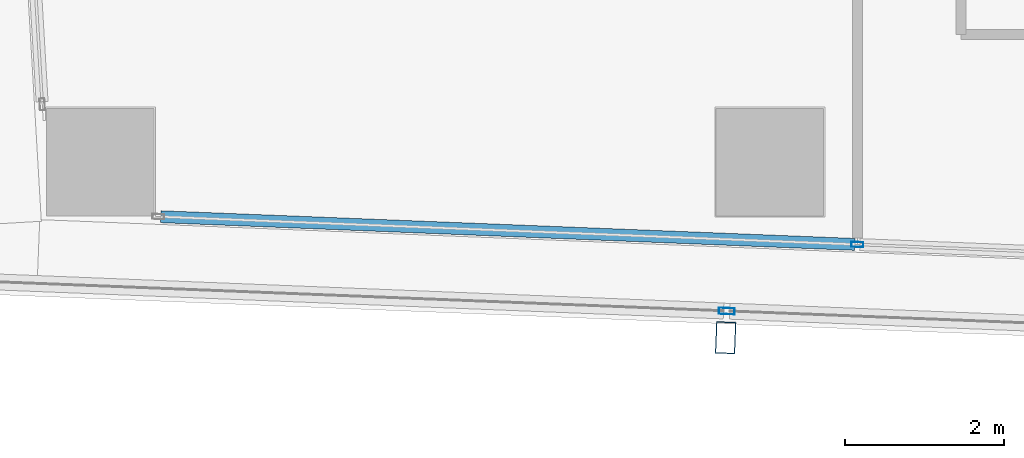
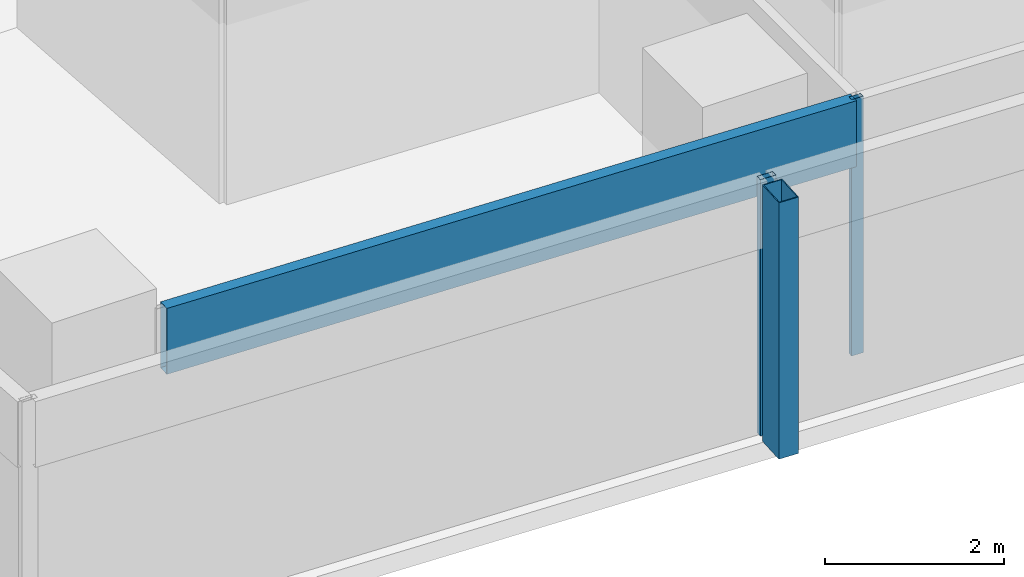
# One storey, part 3 of 40: 4 members, 2 elements without a shape of their own.
"""IFC4 building model written with IfcOpenShell, lengths in metres."""

from ifc_helpers import new_model, si_unit, direction, frame, origin, origin_2d, place, context, subcontext, project, spatial, hollow_rectangle, extrude, material, material_profile, profile_set, type_object, element, aggregate, save


model = new_model("IFC4")

# Units and contexts
model_context = context("Model", 3, precision=1e-05, world=origin(), true_north=direction((0.0, 1.0)))
body_context = subcontext(model_context, "Body", "Model", "MODEL_VIEW")
ifc_project = project(units=[si_unit("LENGTHUNIT", "METRE"), si_unit("AREAUNIT", "SQUARE_METRE"), si_unit("VOLUMEUNIT", "CUBIC_METRE"), si_unit("PLANEANGLEUNIT", "RADIAN"), si_unit("MASSUNIT", "GRAM", prefix="KILO")], contexts=[model_context])

# Site, building, storey
site_placement = place(None, origin())
site = spatial("IfcSite", under=ifc_project, at=site_placement, CompositionType="ELEMENT")
building_placement = place(site_placement, origin())
building = spatial("IfcBuilding", under=site, at=building_placement, Name="Rekha Terrace Tower", CompositionType="ELEMENT")
storey_placement = place(building_placement, frame((0.0, 0.0, 210.199951171875)))
storey = spatial("IfcBuildingStorey", under=building, at=storey_placement, Name="L53", CompositionType="ELEMENT", Elevation=210.199951171875)

# Curtain wall, member
ifc_material_1 = material(Name="Aluminium framing", Category="aluminium")
curtain_wall_type_1 = type_object("IfcCurtainWallType", Name="CW2 double skin outer glazing", PredefinedType="USERDEFINED", material=ifc_material_1)
curtain_wall_1_placement = place(storey_placement, origin())
curtain_wall_1 = element("IfcCurtainWall", 1, at=curtain_wall_1_placement, inside=storey, type_object=curtain_wall_type_1, Name="CW2 double skin outer glazing", ObjectType="DOUBLE SKIN OUTER GLAZING", PredefinedType="USERDEFINED")
ifc_material_2 = material(Name="Steel S355 with fluorocarbon finish", Category="steel")
ifc_material_profile_1 = material_profile(ifc_material_2, hollow_rectangle(XDim=0.25, YDim=0.39990234375, WallThickness=0.012451171875, at=origin_2d()), Name="RHS400x250x12.5")
ifc_profile_set_1 = profile_set([ifc_material_profile_1], Name="Steel S355 with fluorocarbon finish")
member_type_1 = type_object("IfcMemberType", Name="BL1 facade blade RHS 400 x 250", PredefinedType="USERDEFINED", material=ifc_profile_set_1)
member_1_placement = place(storey_placement, frame((16.24658203125, 14.595947265625, 0.0), z_axis=(0.0, 0.0, 1.0), x_axis=(0.999204797763, -0.039871946621, 0.0)))
member_1 = element("IfcMember", 2, at=member_1_placement, type_object=member_type_1, Name="Facade blade", ObjectType="FACADE BLADE", PredefinedType="USERDEFINED", context=body_context, shape_type="SweptSolid", body=[
    extrude(hollow_rectangle(XDim=0.25, YDim=0.39990234375, WallThickness=0.012451171875, at=origin_2d()), origin(), (0.0, 0.0, 1.0), 3.5),
])

# Curtain wall, members
curtain_wall_type_2 = type_object("IfcCurtainWallType", Name="CW1 double skin inner glazing", PredefinedType="USERDEFINED", material=ifc_material_1)
curtain_wall_2_placement = place(storey_placement, origin())
curtain_wall_2 = element("IfcCurtainWall", 3, at=curtain_wall_2_placement, inside=storey, type_object=curtain_wall_type_2, Name="CW1 double skin inner glazing", ObjectType="DOUBLE SKIN INNER GLAZING", PredefinedType="USERDEFINED")
ifc_material_3 = material(Name="Aluminium mullion section", Category="aluminium")
ifc_material_profile_2 = material_profile(ifc_material_3, hollow_rectangle(XDim=0.06494140625, YDim=0.14990234375, WallThickness=0.00390625, at=origin_2d()), Name="AL RHS 65x150")
ifc_profile_set_2 = profile_set([ifc_material_profile_2], Name="Aluminium mullion section")
member_type_2 = type_object("IfcMemberType", Name="CW1 mullion RHS 65 x 150", PredefinedType="MULLION", material=ifc_profile_set_2)
member_2_placement = place(storey_placement, frame((17.89892578125, 15.765869140625, 0.0), z_axis=(0.0, 0.0, 1.0), x_axis=(0.039872497061, 0.999204775798, 0.0)))
member_2 = element("IfcMember", 4, at=member_2_placement, type_object=member_type_2, Name="CW1 mullion 2", PredefinedType="MULLION", context=body_context, shape_type="SweptSolid", body=[
    extrude(hollow_rectangle(XDim=0.06494140625, YDim=0.14990234375, WallThickness=0.00390625, at=origin_2d()), origin(), (0.0, 0.0, 1.0), 3.5),
])
ifc_material_4 = material(Name="Insulated aluminium spandrel box", Category="aluminium")
ifc_material_profile_3 = material_profile(ifc_material_4, hollow_rectangle(XDim=0.14990234375, YDim=0.89990234375, WallThickness=0.0029296875, at=origin_2d()), Name="AL SPANDREL BOX 150x900")
ifc_profile_set_3 = profile_set([ifc_material_profile_3], Name="Insulated aluminium spandrel box")
member_type_3 = type_object("IfcMemberType", Name="CW1 spandrel transom 150 x 900", PredefinedType="USERDEFINED", material=ifc_profile_set_3)
member_3_placement = place(storey_placement, frame((9.15966796875, 16.11474609375, 3.050048828125), z_axis=(0.999204892499, -0.039869572443, 0.0), x_axis=(0.039869572443, 0.999204892499, 0.0)))
member_3 = element("IfcMember", 5, at=member_3_placement, type_object=member_type_3, Name="CW1 spandrel transom 1", ObjectType="TRANSOM", PredefinedType="USERDEFINED", context=body_context, shape_type="SweptSolid", body=[
    extrude(hollow_rectangle(XDim=0.14990234375, YDim=0.89990234375, WallThickness=0.0029296875, at=origin_2d()), origin(), (0.0, 0.0, 1.0), 8.713623046875),
])
aggregate(curtain_wall_2, [member_2, member_3])

# Member
ifc_material_profile_4 = material_profile(ifc_material_3, hollow_rectangle(XDim=0.080078125, YDim=0.199951171875, WallThickness=0.00390625, at=origin_2d()), Name="AL RHS 80x200")
ifc_profile_set_4 = profile_set([ifc_material_profile_4], Name="Aluminium mullion section")
member_type_4 = type_object("IfcMemberType", Name="CW2 mullion RHS 80 x 200", PredefinedType="MULLION", material=ifc_profile_set_4)
member_4_placement = place(storey_placement, frame((16.259765625, 14.9306640625, 0.0), z_axis=(0.0, 0.0, 1.0), x_axis=(0.039872497044, 0.999204775799, 0.0)))
member_4 = element("IfcMember", 6, at=member_4_placement, type_object=member_type_4, Name="CW2 mullion 2", PredefinedType="MULLION", context=body_context, shape_type="SweptSolid", body=[
    extrude(hollow_rectangle(XDim=0.080078125, YDim=0.199951171875, WallThickness=0.00390625, at=origin_2d()), origin(), (0.0, 0.0, 1.0), 3.5),
])

aggregate(curtain_wall_1, [member_4, member_1])

save(model, "model.ifc")
